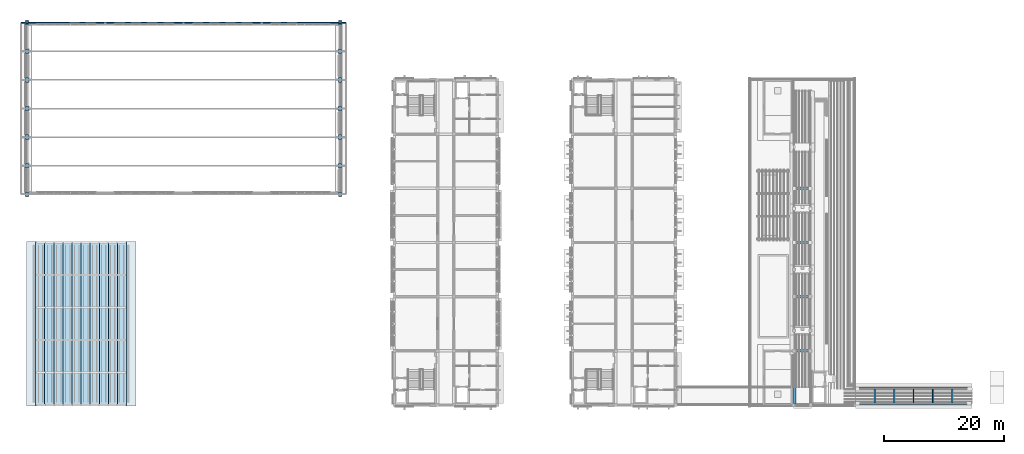
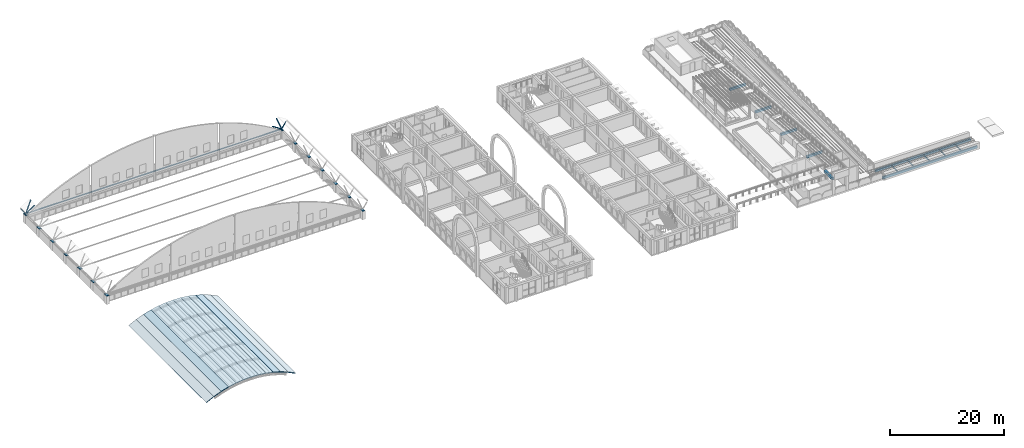
# One storey, part 29 of 65: 21 members, 12 beams, 12 slabs.
"""IFC4 building model written with IfcOpenShell, lengths in metres."""

from ifc_helpers import new_model, si_unit, direction, frame, origin, origin_2d, place, context, subcontext, project, spatial, polyline, rectangle, hollow_rectangle, hollow_circle, outline, extrude, material, layer, layer_set, material_profile, profile_set, type_object, element, save


model = new_model("IFC4")

# Units and contexts
model_context = context("Model", 3, precision=1e-05, world=origin(), true_north=direction((0.0, 1.0)))
body_context = subcontext(model_context, "Body", "Model", "MODEL_VIEW")
ifc_project = project(units=[si_unit("LENGTHUNIT", "METRE"), si_unit("AREAUNIT", "SQUARE_METRE"), si_unit("VOLUMEUNIT", "CUBIC_METRE"), si_unit("PLANEANGLEUNIT", "RADIAN"), si_unit("MASSUNIT", "GRAM", prefix="KILO")], contexts=[model_context])

# Site, building, storey
site_placement = place(None, origin())
site = spatial("IfcSite", under=ifc_project, at=site_placement, CompositionType="ELEMENT")
building_placement = place(site_placement, origin())
building = spatial("IfcBuilding", under=site, at=building_placement, Name="Elbe Cascade School", CompositionType="ELEMENT")
storey_placement = place(building_placement, frame((0.0, 0.0, 11.699951171875)))
storey = spatial("IfcBuildingStorey", under=building, at=storey_placement, Name="L03", CompositionType="ELEMENT", Elevation=11.699951171875)

# Members
ifc_material_1 = material(Name="Steel S355J2", Category="steel")
ifc_material_profile_1 = material_profile(ifc_material_1, rectangle(XDim=0.5, YDim=0.050048828125, at=origin_2d()), Name="PL 500x50")
ifc_profile_set_1 = profile_set([ifc_material_profile_1], Name="Steel S355J2")
member_type_1 = type_object("IfcMemberType", Name="Hall rib bearing plate Steel S355J2", PredefinedType="PLATE", material=ifc_profile_set_1)
for number, where, z_axis, x_axis, name in (
    (1, (8.0, 40.60009765625, 1.775146484375), (0.0, 1.0, 0.0), (-1.0, 0.0, 0.0), "Rib bearing plate W1"),
    (2, (8.0, 45.35009765625, 1.775146484375), (0.0, 1.0, 0.0), (-1.0, 0.0, 0.0), "Rib bearing plate W2"),
    (3, (8.0, 50.10009765625, 1.775146484375), (0.0, 1.0, 0.0), (-1.0, 0.0, 0.0), "Rib bearing plate W3"),
    (4, (8.0, 54.85009765625, 1.775146484375), (0.0, 1.0, 0.0), (-1.0, 0.0, 0.0), "Rib bearing plate W4"),
    (5, (8.0, 59.60009765625, 1.775146484375), (0.0, 1.0, 0.0), (-1.0, 0.0, 0.0), "Rib bearing plate W5"),
    (6, (8.0, 64.35009765625, 1.775146484375), (0.0, 1.0, 0.0), (-1.0, 0.0, 0.0), "Rib bearing plate W6"),
    (7, (8.0, 69.10009765625, 1.775146484375), (0.0, 1.0, 0.0), (-1.0, 0.0, 0.0), "Rib bearing plate W7"),
    (8, (60.0, 40.60009765625, 1.775146484375), (0.0, 1.0, 0.0), (-1.0, 0.0, 0.0), "Rib bearing plate E1"),
    (9, (60.0, 45.35009765625, 1.775146484375), (0.0, 1.0, 0.0), (-1.0, 0.0, 0.0), "Rib bearing plate E2"),
    (10, (60.0, 50.10009765625, 1.775146484375), (0.0, 1.0, 0.0), (-1.0, 0.0, 0.0), "Rib bearing plate E3"),
    (11, (60.0, 54.85009765625, 1.775146484375), (0.0, 1.0, 0.0), (-1.0, 0.0, 0.0), "Rib bearing plate E4"),
    (12, (60.0, 59.60009765625, 1.775146484375), (0.0, 1.0, 0.0), (-1.0, 0.0, 0.0), "Rib bearing plate E5"),
    (13, (60.0, 64.35009765625, 1.775146484375), (0.0, 1.0, 0.0), (-1.0, 0.0, 0.0), "Rib bearing plate E6"),
    (14, (60.0, 69.10009765625, 1.775146484375), (0.0, 1.0, 0.0), (-1.0, 0.0, 0.0), "Rib bearing plate E7"),
):
    element("IfcMember", number, at=place(storey_placement, frame(where, z_axis=z_axis, x_axis=x_axis)), inside=storey, type_object=member_type_1, Name=name, PredefinedType="PLATE", context=body_context, shape_type="SweptSolid", body=[
        extrude(rectangle(XDim=0.5, YDim=0.050048828125, at=origin_2d()), origin(), (0.0, 0.0, 1.0), 0.7998046875),
    ])
ifc_material_2 = material(Name="Steel S355J2H", Category="steel")
ifc_material_profile_2 = material_profile(ifc_material_2, hollow_circle(Radius=0.109619140625, WallThickness=0.012451171875, at=origin_2d()), Name="CHS 219.1x12.5")
ifc_profile_set_2 = profile_set([ifc_material_profile_2], Name="Steel S355J2H")
member_type_2 = type_object("IfcMemberType", Name="Hall rib bottom chord CHS 219.1x12.5", PredefinedType="CHORD", material=ifc_profile_set_2)
for number, where, z_axis, x_axis, name in (
    (15, (8.0, 69.5, 1.89208984375), (0.840233339688, 0.0, 0.542224985478), (0.0, 1.0, 0.0), "Hall rib bottom chord CHS 219.1x12.5 M3"),
    (16, (58.142822265625, 69.5, 3.090576171875), (0.840233339688, 0.0, -0.542224985478), (0.0, 1.0, 0.0), "Hall rib bottom chord CHS 219.1x12.5 M3"),
):
    element("IfcMember", number, at=place(storey_placement, frame(where, z_axis=z_axis, x_axis=x_axis)), inside=storey, type_object=member_type_2, Name=name, PredefinedType="CHORD", context=body_context, shape_type="SweptSolid", body=[
        extrude(hollow_circle(Radius=0.109619140625, WallThickness=0.012451171875, at=origin_2d()), origin(), (0.0, 0.0, 1.0), 2.210205078125),
    ])
ifc_material_3 = material(Name="Steel S355J2H", Category="steel")
ifc_material_profile_3 = material_profile(ifc_material_3, hollow_circle(Radius=0.109619140625, WallThickness=0.012451171875, at=origin_2d()), Name="CHS 219.1x12.5")
ifc_profile_set_3 = profile_set([ifc_material_profile_3], Name="Steel S355J2H")
member_type_3 = type_object("IfcMemberType", Name="Hall rib end post CHS 219.1x12.5", PredefinedType="POST", material=ifc_profile_set_3)
for number, where, z_axis, x_axis, name in (
    (17, (8.0, 69.5, 1.89208984375), (-0.562143062018, 0.0, 0.827040009809), (0.0, -1.0, 0.0), "Hall rib end post CHS 219.1x12.5 M5"),
    (18, (60.0, 69.5, 1.89208984375), (0.562143062018, 0.0, 0.827040009809), (0.0, 1.0, 0.0), "Hall rib end post CHS 219.1x12.5 M5"),
):
    element("IfcMember", number, at=place(storey_placement, frame(where, z_axis=z_axis, x_axis=x_axis)), inside=storey, type_object=member_type_3, Name=name, PredefinedType="POST", context=body_context, shape_type="SweptSolid", body=[
        extrude(hollow_circle(Radius=0.109619140625, WallThickness=0.012451171875, at=origin_2d()), origin(), (0.0, 0.0, 1.0), 1.599853515625),
    ])
ifc_material_4 = material(Name="Steel S355J2H", Category="steel")
ifc_material_profile_4 = material_profile(ifc_material_4, hollow_circle(Radius=0.084228515625, WallThickness=0.010009765625, at=origin_2d()), Name="CHS 168.3x10")
ifc_profile_set_4 = profile_set([ifc_material_profile_4], Name="Steel S355J2H")
member_type_4 = type_object("IfcMemberType", Name="Hall rib tie CHS 168.3x10", PredefinedType="MEMBER", material=ifc_profile_set_4)
member_placement = place(storey_placement, frame((8.0, 69.5, 1.89208984375), z_axis=(1.0, 0.0, 0.0), x_axis=(0.0, 1.0, 0.0)))
element("IfcMember", 19, at=member_placement, inside=storey, type_object=member_type_4, Name="Hall rib tie CHS 168.3x10 M6", PredefinedType="MEMBER", context=body_context, shape_type="SweptSolid", body=[
    extrude(hollow_circle(Radius=0.084228515625, WallThickness=0.010009765625, at=origin_2d()), origin(), (0.0, 0.0, 1.0), 52.0),
])
ifc_material_5 = material(Name="Steel S355J2H", Category="steel")
ifc_material_profile_5 = material_profile(ifc_material_5, hollow_circle(Radius=0.06982421875, WallThickness=0.008056640625, at=origin_2d()), Name="CHS 139.7x8")
ifc_profile_set_5 = profile_set([ifc_material_profile_5], Name="Steel S355J2H")
member_type_5 = type_object("IfcMemberType", Name="Hall rib web CHS 139.7x8", PredefinedType="BRACE", material=ifc_profile_set_5)
for number, where, z_axis, x_axis, name in (
    (20, (8.0, 69.5, 1.89208984375), (0.370353160415, 0.0, 0.928891025132), (0.0, 1.0, 0.0), "Hall rib web CHS 139.7x8 M4"),
    (21, (58.97802734375, 69.5, 4.455322265625), (0.370353160415, 0.0, -0.928891025132), (0.0, 1.0, 0.0), "Hall rib web CHS 139.7x8 M4"),
):
    element("IfcMember", number, at=place(storey_placement, frame(where, z_axis=z_axis, x_axis=x_axis)), inside=storey, type_object=member_type_5, Name=name, PredefinedType="BRACE", context=body_context, shape_type="SweptSolid", body=[
        extrude(hollow_circle(Radius=0.06982421875, WallThickness=0.008056640625, at=origin_2d()), origin(), (0.0, 0.0, 1.0), 2.759521484375),
    ])

# Beams
ifc_material_6 = material(Name="Concrete C30/37", Category="concrete")
ifc_material_profile_6 = material_profile(ifc_material_6, rectangle(XDim=0.39990234375, YDim=0.449951171875, at=origin_2d()), Name="RC 400x450")
ifc_profile_set_6 = profile_set([ifc_material_profile_6], Name="Concrete C30/37")
beam_type_1 = type_object("IfcBeamType", Name="RC 400x450 beam", PredefinedType="BEAM", material=ifc_profile_set_6)
beam_1_placement = place(storey_placement, frame((135.5, 6.25, 3.135009765625), z_axis=(0.0, 1.0, 0.0), x_axis=(-1.0, 0.0, 0.0)))
element("IfcBeam", 22, at=beam_1_placement, inside=storey, type_object=beam_type_1, Name="RC 400x450 beam B2", PredefinedType="BEAM", context=body_context, shape_type="SweptSolid", body=[
    extrude(rectangle(XDim=0.39990234375, YDim=0.449951171875, at=origin_2d()), origin(), (0.0, 0.0, 1.0), 2.800048828125),
])
ifc_material_7 = material(Name="Concrete C30/37", Category="concrete")
ifc_material_profile_7 = material_profile(ifc_material_7, outline(polyline([(-0.199951171875, 0.0), (0.199951171875, 0.0), (0.199951171875, 0.433349609375), (-0.199951171875, 0.466552734375), (-0.199951171875, 0.0)])), Name="RC cross-beam 400x450 sloped top")
ifc_profile_set_7 = profile_set([ifc_material_profile_7], Name="Concrete C30/37")
beam_type_2 = type_object("IfcBeamType", Name="RC 400x450 sloped cross-beam", PredefinedType="BEAM", material=ifc_profile_set_7)
for number, where, z_axis, x_axis, name in (
    (23, (135.14990234375, 15.0, 2.41015625), (1.0, 0.0, 0.0), (0.0, 1.0, 0.0), "RC 400x450 sloped cross-beam B25"),
    (24, (135.14990234375, 24.0, 1.78515625), (1.0, 0.0, 0.0), (0.0, 1.0, 0.0), "RC 400x450 sloped cross-beam B25"),
    (25, (135.14990234375, 33.0, 1.16015625), (1.0, 0.0, 0.0), (0.0, 1.0, 0.0), "RC 400x450 sloped cross-beam B25"),
    (26, (135.14990234375, 42.0, 0.53515625), (1.0, 0.0, 0.0), (0.0, 1.0, 0.0), "RC 400x450 sloped cross-beam B25"),
):
    element("IfcBeam", number, at=place(storey_placement, frame(where, z_axis=z_axis, x_axis=x_axis)), inside=storey, type_object=beam_type_2, Name=name, PredefinedType="BEAM", context=body_context, shape_type="SweptSolid", body=[
        extrude(outline(polyline([(-0.199951171875, 0.0), (0.199951171875, 0.0), (0.199951171875, 0.433349609375), (-0.199951171875, 0.466552734375), (-0.199951171875, 0.0)])), origin(), (0.0, 0.0, 1.0), 3.2001953125),
    ])
ifc_material_8 = material(Name="Steel S355J2H", Category="steel")
ifc_material_profile_8 = material_profile(ifc_material_8, hollow_rectangle(XDim=0.14990234375, YDim=0.25, WallThickness=0.008056640625, InnerFilletRadius=0.008056640625, OuterFilletRadius=0.011962890625, at=origin_2d()), Name="RHS 250x150x8")
ifc_profile_set_8 = profile_set([ifc_material_profile_8], Name="Steel S355J2H")
beam_type_3 = type_object("IfcBeamType", Name="RHS 250x150x8 cross-beam", PredefinedType="BEAM", material=ifc_profile_set_8)
for number, where, z_axis, x_axis, name in (
    (27, (148.77490234375, 6.39990234375, -0.0849609375), (0.0, 1.0, 0.0), (-1.0, 0.0, 0.0), "Bridge C-D cross-beam 1"),
    (28, (152.0, 6.39990234375, -0.0849609375), (0.0, 1.0, 0.0), (-1.0, 0.0, 0.0), "Bridge C-D cross-beam 2"),
    (29, (155.22509765625, 6.39990234375, -0.0849609375), (0.0, 1.0, 0.0), (-1.0, 0.0, 0.0), "Bridge C-D cross-beam 3"),
    (30, (158.449951171875, 6.39990234375, -0.0849609375), (0.0, 1.0, 0.0), (-1.0, 0.0, 0.0), "Bridge C-D cross-beam 4"),
    (31, (161.675048828125, 6.39990234375, -0.0849609375), (0.0, 1.0, 0.0), (-1.0, 0.0, 0.0), "Bridge C-D cross-beam 5"),
):
    element("IfcBeam", number, at=place(storey_placement, frame(where, z_axis=z_axis, x_axis=x_axis)), inside=storey, type_object=beam_type_3, Name=name, PredefinedType="BEAM", context=body_context, shape_type="SweptSolid", body=[
        extrude(hollow_rectangle(XDim=0.14990234375, YDim=0.25, WallThickness=0.008056640625, InnerFilletRadius=0.008056640625, OuterFilletRadius=0.011962890625, at=origin_2d()), origin(), (0.0, 0.0, 1.0), 2.2001953125),
    ])
ifc_material_9 = material(Name="Steel S355J2H", Category="steel")
ifc_material_profile_9 = material_profile(ifc_material_9, hollow_rectangle(XDim=0.300048828125, YDim=0.5, WallThickness=0.01611328125, InnerFilletRadius=0.01611328125, OuterFilletRadius=0.02392578125, at=origin_2d()), Name="RHS 500x300x16")
ifc_profile_set_9 = profile_set([ifc_material_profile_9], Name="Steel S355J2H")
beam_type_4 = type_object("IfcBeamType", Name="RHS 500x300x16 girder", PredefinedType="BEAM", material=ifc_profile_set_9)
beam_2_placement = place(storey_placement, frame((145.550048828125, 6.25, -0.2099609375), z_axis=(1.0, 0.0, 0.0), x_axis=(0.0, 1.0, 0.0)))
element("IfcBeam", 32, at=beam_2_placement, inside=storey, type_object=beam_type_4, Name="Bridge C-D girder 1", PredefinedType="BEAM", context=body_context, shape_type="SweptSolid", body=[
    extrude(hollow_rectangle(XDim=0.300048828125, YDim=0.5, WallThickness=0.01611328125, InnerFilletRadius=0.01611328125, OuterFilletRadius=0.02392578125, at=origin_2d()), origin(), (0.0, 0.0, 1.0), 19.25),
])
beam_3_placement = place(storey_placement, frame((145.5, 8.75, -0.2099609375), z_axis=(1.0, 0.0, 0.0), x_axis=(0.0, 1.0, 0.0)))
element("IfcBeam", 33, at=beam_3_placement, inside=storey, type_object=beam_type_4, Name="Bridge C-D girder 2", PredefinedType="BEAM", context=body_context, shape_type="SweptSolid", body=[
    extrude(hollow_rectangle(XDim=0.300048828125, YDim=0.5, WallThickness=0.01611328125, InnerFilletRadius=0.01611328125, OuterFilletRadius=0.02392578125, at=origin_2d()), origin(), (0.0, 0.0, 1.0), 19.39990234375),
])

# Slabs
ifc_material_10 = material(Name="Steel S350GD+Z profiled roof deck", Category="steel")
ifc_layer = layer(ifc_material_10, 0.14990234375)
ifc_layer_set = layer_set([ifc_layer], Name="Steel S350GD+Z profiled roof deck")
slab_type = type_object("IfcSlabType", Name="Assembly hall roof deck 150", PredefinedType="ROOF", material=ifc_layer_set)
slab_1_placement = place(storey_placement, frame((7.931640625, 5.85009765625, -0.038330078125), z_axis=(-0.443794304612, 0.0, 0.896128682274), x_axis=(0.896128682274, 0.0, 0.443794304612)))
element("IfcSlab", 34, at=slab_1_placement, inside=storey, type_object=slab_type, Name="Assembly hall roof deck 150 S18", PredefinedType="ROOF", context=body_context, shape_type="SweptSolid", body=[
    extrude(outline(polyline([(0.0, 0.0), (1.6866713891352758, 0.0), (1.6866713891352758, 27.299804687499996), (0.0, 27.299804687499996), (0.0, 0.0)])), origin(), (0.0, 0.0, -1.0), 0.14990234375),
])
slab_2_placement = place(storey_placement, frame((9.443115234375, 5.85009765625, 0.710205078125), z_axis=(-0.363019970583, 0.0, 0.931781358988), x_axis=(0.931781358988, 0.0, 0.363019970583)))
element("IfcSlab", 35, at=slab_2_placement, inside=storey, type_object=slab_type, Name="Assembly hall roof deck 150 S18", PredefinedType="ROOF", context=body_context, shape_type="SweptSolid", body=[
    extrude(outline(polyline([(0.0, 0.0), (1.6221344146831573, 0.0), (1.6221344146831573, 27.2998046875), (0.0, 27.2998046875), (0.0, 0.0)])), origin(), (0.0, 0.0, -1.0), 0.14990234375),
])
slab_3_placement = place(storey_placement, frame((10.95458984375, 5.85009765625, 1.299072265625), z_axis=(-0.282367688875, 0.0, 0.959306253643), x_axis=(0.959306253643, 0.0, 0.282367688875)))
element("IfcSlab", 36, at=slab_3_placement, inside=storey, type_object=slab_type, Name="Assembly hall roof deck 150 S18", PredefinedType="ROOF", context=body_context, shape_type="SweptSolid", body=[
    extrude(outline(polyline([(0.0, 0.0), (1.575336825972431, 0.0), (1.575336825972431, 27.2998046875), (0.0, 27.2998046875), (0.0, 0.0)])), origin(), (0.0, 0.0, -1.0), 0.14990234375),
])
slab_4_placement = place(storey_placement, frame((12.4658203125, 5.85009765625, 1.743896484375), z_axis=(-0.201710950576, 0.0, 0.979445094131), x_axis=(0.979445094131, 0.0, 0.201710950576)))
element("IfcSlab", 37, at=slab_4_placement, inside=storey, type_object=slab_type, Name="Assembly hall roof deck 150 S18", PredefinedType="ROOF", context=body_context, shape_type="SweptSolid", body=[
    extrude(outline(polyline([(0.0, 0.0), (1.5431948339235404, 0.0), (1.5431948339235404, 27.2998046875), (0.0, 27.2998046875), (0.0, 0.0)])), origin(), (0.0, 0.0, -1.0), 0.14990234375),
])
slab_5_placement = place(storey_placement, frame((13.977294921875, 5.85009765625, 2.05517578125), z_axis=(-0.121042846895, 0.0, 0.992647283387), x_axis=(0.992647283387, 0.0, 0.121042846895)))
element("IfcSlab", 38, at=slab_5_placement, inside=storey, type_object=slab_type, Name="Assembly hall roof deck 150 S18", PredefinedType="ROOF", context=body_context, shape_type="SweptSolid", body=[
    extrude(outline(polyline([(0.0, 0.0), (1.5268515064369859, 0.0), (1.5268515064369859, 27.2998046875), (0.0, 27.2998046875), (0.0, 0.0)])), origin(), (0.0, 0.0, -1.0), 0.14990234375),
])
for number, where, z_axis, x_axis, name in (
    (39, (15.492919921875, 5.85009765625, 2.239990234375), (-0.023321049075, 0.0, 0.99972802735), (0.99972802735, 0.0, 0.023321049075), "Assembly hall roof deck 150 S18"),
    (40, (17.0, 5.85009765625, 2.275146484375), (0.023321049075, 0.0, 0.99972802735), (0.99972802735, 0.0, -0.023321049075), "Assembly hall roof deck 150 S18"),
):
    element("IfcSlab", number, at=place(storey_placement, frame(where, z_axis=z_axis, x_axis=x_axis)), inside=storey, type_object=slab_type, Name=name, PredefinedType="ROOF", context=body_context, shape_type="SweptSolid", body=[
        extrude(outline(polyline([(0.0, 0.0), (1.507490074194626, 0.0), (1.507490074194626, 27.2998046875), (0.0, 27.2998046875), (0.0, 0.0)])), origin(), (0.0, 0.0, -1.0), 0.14990234375),
    ])
slab_6_placement = place(storey_placement, frame((18.507080078125, 5.85009765625, 2.239990234375), z_axis=(0.121042846895, 0.0, 0.992647283387), x_axis=(0.992647283387, 0.0, -0.121042846895)))
element("IfcSlab", 41, at=slab_6_placement, inside=storey, type_object=slab_type, Name="Assembly hall roof deck 150 S18", PredefinedType="ROOF", context=body_context, shape_type="SweptSolid", body=[
    extrude(outline(polyline([(0.0, 0.0), (1.5268515064369859, 0.0), (1.5268515064369859, 27.2998046875), (0.0, 27.2998046875), (0.0, 0.0)])), origin(), (0.0, 0.0, -1.0), 0.14990234375),
])
slab_7_placement = place(storey_placement, frame((20.022705078125, 5.85009765625, 2.05517578125), z_axis=(0.201710950576, 0.0, 0.979445094131), x_axis=(0.979445094131, 0.0, -0.201710950576)))
element("IfcSlab", 42, at=slab_7_placement, inside=storey, type_object=slab_type, Name="Assembly hall roof deck 150 S18", PredefinedType="ROOF", context=body_context, shape_type="SweptSolid", body=[
    extrude(outline(polyline([(0.0, 0.0), (1.5431948339235404, 0.0), (1.5431948339235404, 27.2998046875), (0.0, 27.2998046875), (0.0, 0.0)])), origin(), (0.0, 0.0, -1.0), 0.14990234375),
])
slab_8_placement = place(storey_placement, frame((21.5341796875, 5.85009765625, 1.743896484375), z_axis=(0.282367688875, 0.0, 0.959306253643), x_axis=(0.959306253643, 0.0, -0.282367688875)))
element("IfcSlab", 43, at=slab_8_placement, inside=storey, type_object=slab_type, Name="Assembly hall roof deck 150 S18", PredefinedType="ROOF", context=body_context, shape_type="SweptSolid", body=[
    extrude(outline(polyline([(0.0, 0.0), (1.575336825972431, 0.0), (1.575336825972431, 27.2998046875), (0.0, 27.2998046875), (0.0, 0.0)])), origin(), (0.0, 0.0, -1.0), 0.14990234375),
])
slab_9_placement = place(storey_placement, frame((23.04541015625, 5.85009765625, 1.299072265625), z_axis=(0.363019970583, 0.0, 0.931781358988), x_axis=(0.931781358988, 0.0, -0.363019970583)))
element("IfcSlab", 44, at=slab_9_placement, inside=storey, type_object=slab_type, Name="Assembly hall roof deck 150 S18", PredefinedType="ROOF", context=body_context, shape_type="SweptSolid", body=[
    extrude(outline(polyline([(0.0, 0.0), (1.6221344146831573, 0.0), (1.6221344146831573, 27.2998046875), (0.0, 27.2998046875), (0.0, 0.0)])), origin(), (0.0, 0.0, -1.0), 0.14990234375),
])
slab_10_placement = place(storey_placement, frame((24.556884765625, 5.85009765625, 0.710205078125), z_axis=(0.443736745743, 0.0, 0.89615718514), x_axis=(0.89615718514, 0.0, -0.443736745743)))
element("IfcSlab", 45, at=slab_10_placement, inside=storey, type_object=slab_type, Name="Assembly hall roof deck 150 S18", PredefinedType="ROOF", context=body_context, shape_type="SweptSolid", body=[
    extrude(outline(polyline([(0.0, 0.0), (1.686890174031426, 0.0), (1.686890174031426, 27.2998046875), (0.0, 27.2998046875), (0.0, 0.0)])), origin(), (0.0, 0.0, -1.0), 0.14990234375),
])

save(model, "model.ifc")
